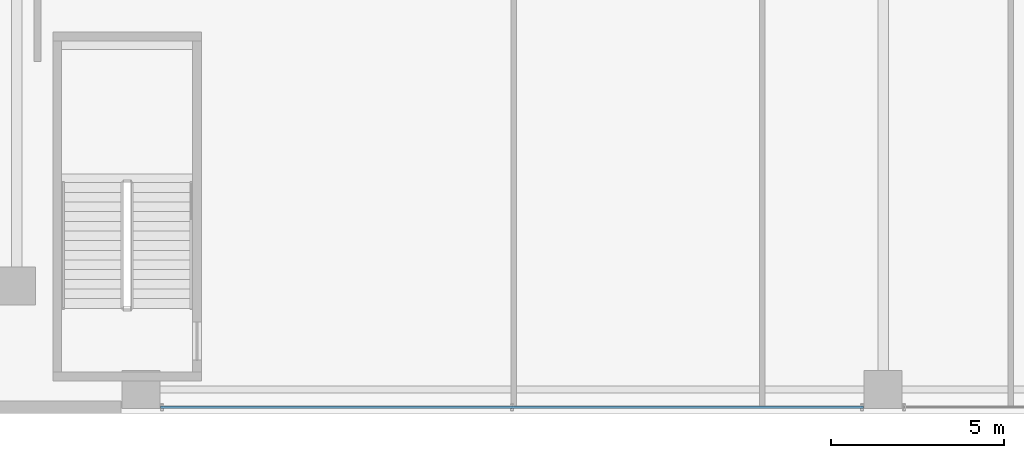
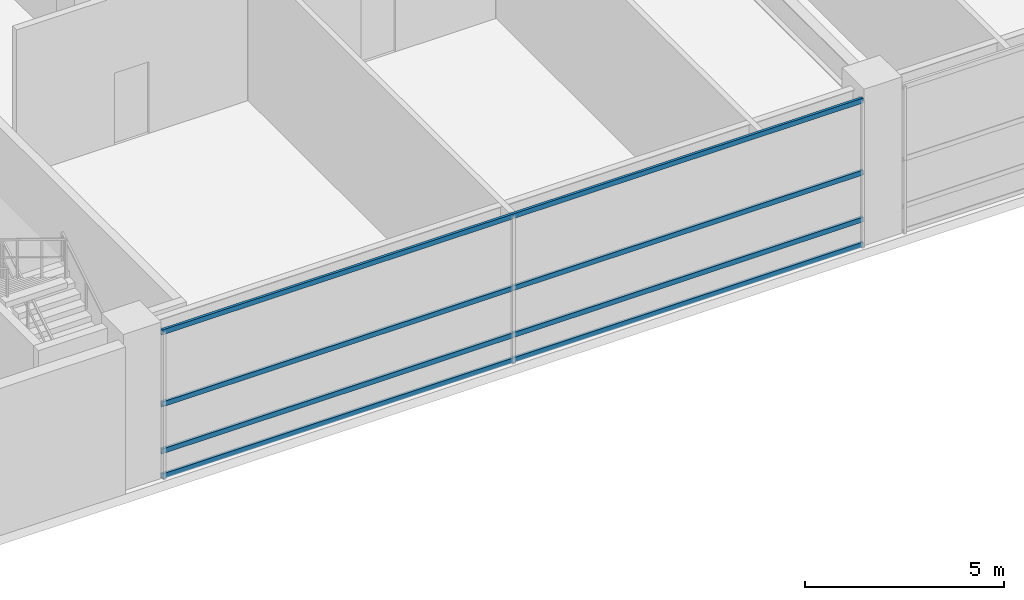
# One storey, part 8 of 39: 4 members, 1 element without a shape of its own.
"""IFC4 building model written with IfcOpenShell, lengths in metres."""

from ifc_helpers import new_model, si_unit, direction, frame, origin, origin_2d, place, context, subcontext, project, spatial, hollow_rectangle, extrude, source, transform, mapped, material, layer, layer_set, material_profile, profile_set, type_object, element, aggregate, save


model = new_model("IFC4")

# Units and contexts
model_context = context("Model", 3, precision=1e-05, world=origin(), true_north=direction((0.0, 1.0)))
body_context = subcontext(model_context, "Body", "Model", "MODEL_VIEW")
ifc_project = project(units=[si_unit("LENGTHUNIT", "METRE"), si_unit("AREAUNIT", "SQUARE_METRE"), si_unit("VOLUMEUNIT", "CUBIC_METRE"), si_unit("PLANEANGLEUNIT", "RADIAN"), si_unit("MASSUNIT", "GRAM", prefix="KILO"), si_unit("THERMODYNAMICTEMPERATUREUNIT", "KELVIN"), si_unit("POWERUNIT", "WATT")], contexts=[model_context])

# Site, building, storey
site_placement = place(None, origin())
site = spatial("IfcSite", under=ifc_project, at=site_placement, CompositionType="ELEMENT")
building_placement = place(site_placement, origin())
building = spatial("IfcBuilding", under=site, at=building_placement, Name="Yuzanri Waterfront Tower", CompositionType="ELEMENT")
storey_placement = place(building_placement, frame((0.0, 0.0, 15.0)))
storey = spatial("IfcBuildingStorey", under=building, at=storey_placement, Name="L04", CompositionType="ELEMENT", Elevation=15.0)

# Curtain wall, members
ifc_material_1 = material(Name="Anodized Architectural Bronze", Category="metal")
ifc_layer = layer(ifc_material_1, 0.159912109375)
ifc_layer_set = layer_set([ifc_layer], Name="Anodized Architectural Bronze")
curtain_wall_type = type_object("IfcCurtainWallType", Name="Anodized Bronze Podium Waterfront Double-Height Unitized Curtain Wall 8400", PredefinedType="NOTDEFINED", material=ifc_layer_set)
curtain_wall_placement = place(storey_placement, origin())
curtain_wall = element("IfcCurtainWall", 1, at=curtain_wall_placement, inside=storey, type_object=curtain_wall_type, Name="L04 Curtain Wall CW-L04-S1", PredefinedType="NOTDEFINED")
ifc_material_2 = material(Name="Anodized Architectural Bronze", Category="metal")
ifc_material_profile = material_profile(ifc_material_2, hollow_rectangle(XDim=0.074951171875, YDim=0.14990234375, WallThickness=0.00390625, at=origin_2d()), Name="CWT 75x150")
ifc_profile_set = profile_set([ifc_material_profile], Name="Anodized Architectural Bronze")
member_type = type_object("IfcMemberType", Name="Anodized Bronze Primary Curtain-Wall Transom 75x150", PredefinedType="USERDEFINED", material=ifc_profile_set)
shared_shape = source(origin(), body_context, "Body", "SweptSolid", [
    extrude(hollow_rectangle(XDim=0.074951171875, YDim=0.14990234375, WallThickness=0.00390625, at=origin_2d()), origin(), (0.0, 0.0, 1.0), 20.35986328125),
])
member_1_placement = place(storey_placement, frame((16.070068359375, 1.97998046875, 0.050048828125), z_axis=(1.0, 0.0, 0.0), x_axis=(0.0, 1.0, 0.0)))
member_1 = element("IfcMember", 2, at=member_1_placement, type_object=member_type, Name="CW-L04-S1 Transom 1", ObjectType="TRANSOM", PredefinedType="USERDEFINED", context=body_context, shape_type="MappedRepresentation", body=[
    mapped(shared_shape, transform((0.0, 0.0, 0.0), scale=1.0)),
])
member_2_placement = place(storey_placement, frame((16.070068359375, 1.97998046875, 0.820068359375), z_axis=(1.0, 0.0, 0.0), x_axis=(0.0, 1.0, 0.0)))
member_2 = element("IfcMember", 3, at=member_2_placement, type_object=member_type, Name="CW-L04-S1 Transom 2", ObjectType="TRANSOM", PredefinedType="USERDEFINED", context=body_context, shape_type="MappedRepresentation", body=[
    mapped(shared_shape, transform((0.0, 0.0, 0.0), scale=1.0)),
])
member_3_placement = place(storey_placement, frame((16.070068359375, 1.97998046875, 2.260009765625), z_axis=(1.0, 0.0, 0.0), x_axis=(0.0, 1.0, 0.0)))
member_3 = element("IfcMember", 4, at=member_3_placement, type_object=member_type, Name="CW-L04-S1 Transom 3", ObjectType="TRANSOM", PredefinedType="USERDEFINED", context=body_context, shape_type="MappedRepresentation", body=[
    mapped(shared_shape, transform((0.0, 0.0, 0.0), scale=1.0)),
])
member_4_placement = place(storey_placement, frame((16.070068359375, 1.97998046875, 4.469970703125), z_axis=(1.0, 0.0, 0.0), x_axis=(0.0, 1.0, 0.0)))
member_4 = element("IfcMember", 5, at=member_4_placement, type_object=member_type, Name="CW-L04-S1 Transom 4", ObjectType="TRANSOM", PredefinedType="USERDEFINED", context=body_context, shape_type="MappedRepresentation", body=[
    mapped(shared_shape, transform((0.0, 0.0, 0.0), scale=1.0)),
])
aggregate(curtain_wall, [member_1, member_2, member_3, member_4])

save(model, "model.ifc")
